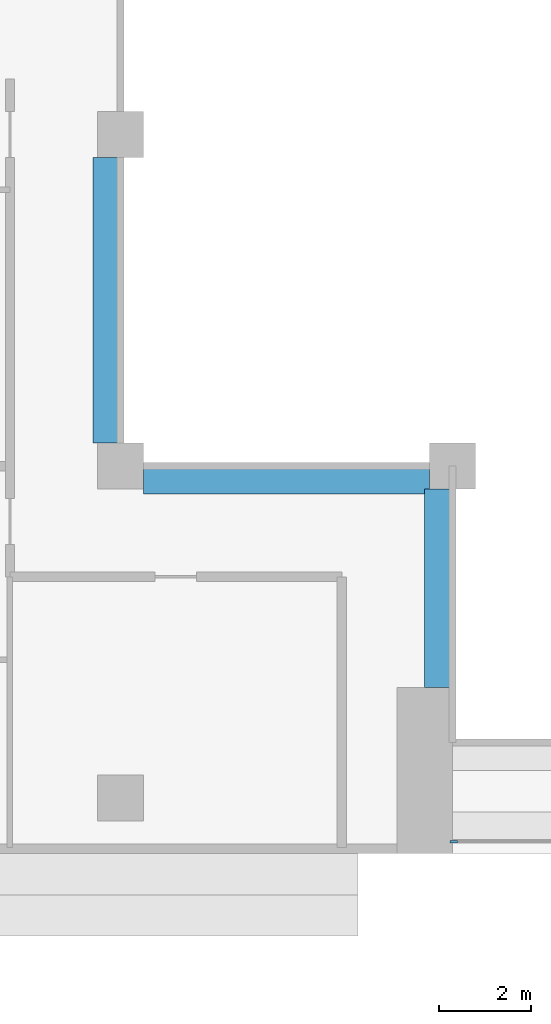
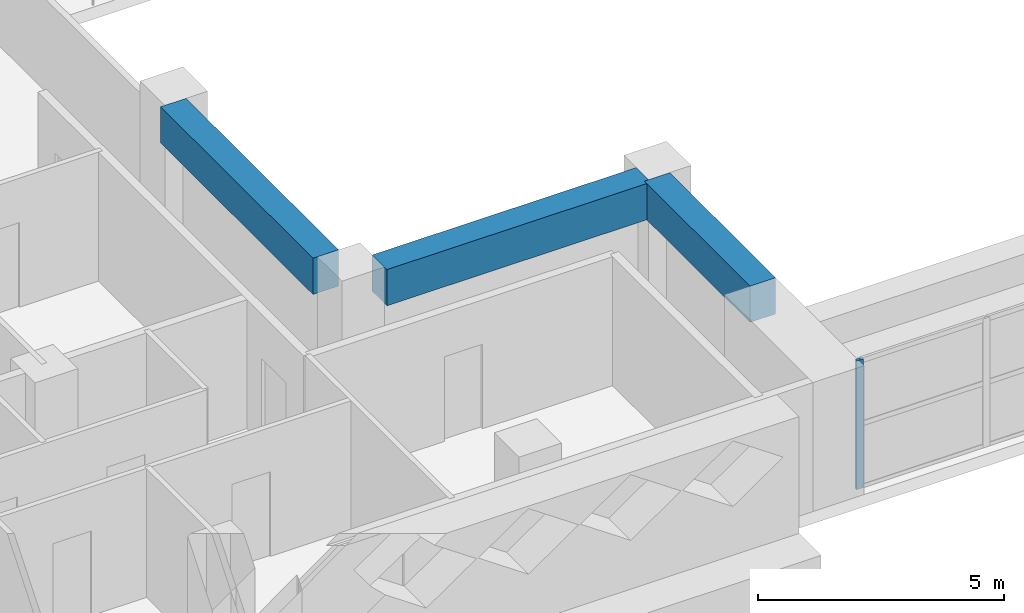
# One storey, part 2 of 20: 3 beams, 1 member, 1 element without a shape of its own.
"""IFC4 building model written with IfcOpenShell, lengths in metres."""

from ifc_helpers import new_model, si_unit, direction, frame, origin, origin_2d, place, context, subcontext, project, spatial, rectangle, extrude, source, transform, mapped, material, layer, layer_set, material_profile, profile_set, type_object, element, aggregate, save


model = new_model("IFC4")

# Units and contexts
model_context = context("Model", 3, precision=1e-05, world=origin(), true_north=direction((0.0, 1.0)))
body_context = subcontext(model_context, "Body", "Model", "MODEL_VIEW")
ifc_project = project(units=[si_unit("LENGTHUNIT", "METRE"), si_unit("AREAUNIT", "SQUARE_METRE"), si_unit("VOLUMEUNIT", "CUBIC_METRE"), si_unit("PLANEANGLEUNIT", "RADIAN"), si_unit("MASSUNIT", "GRAM", prefix="KILO")], contexts=[model_context])

# Site, building, storey
site_placement = place(None, origin())
site = spatial("IfcSite", under=ifc_project, at=site_placement, CompositionType="ELEMENT")
building_placement = place(site_placement, origin())
building = spatial("IfcBuilding", under=site, at=building_placement, Name="Saffron Iwan Residences", CompositionType="ELEMENT")
storey_placement = place(building_placement, frame((0.0, 0.0, 167.5)))
storey = spatial("IfcBuildingStorey", under=building, at=storey_placement, Name="L44", CompositionType="ELEMENT", Elevation=167.5)

# Beams
ifc_material_1 = material(Name="Concrete C50/60", Category="concrete")
ifc_material_profile_1 = material_profile(ifc_material_1, rectangle(XDim=0.60009765625, YDim=0.89990234375, at=origin_2d()), Name="RC 600x900")
ifc_profile_set_1 = profile_set([ifc_material_profile_1], Name="Concrete C50/60")
beam_type = type_object("IfcBeamType", Name="BEAM RC 600x900 C50/60 TOP 3200", PredefinedType="BEAM", material=ifc_profile_set_1)
shared_shape_1 = source(origin(), body_context, "Body", "SweptSolid", [
    extrude(rectangle(XDim=0.60009765625, YDim=0.89990234375, at=origin_2d()), origin(), (0.0, 0.0, 1.0), 4.300048828125),
])
beam_placement = place(storey_placement, frame((42.89990234375, 43.199951171875, 2.75), z_axis=(0.0, 1.0, 0.0), x_axis=(-1.0, 0.0, 0.0)))
element("IfcBeam", 1, at=beam_placement, inside=storey, type_object=beam_type, Name="Atrium edge beam", PredefinedType="BEAM", context=body_context, shape_type="MappedRepresentation", body=[
    mapped(shared_shape_1, transform((0.0, 0.0, 0.0))),
])
shared_shape_2 = source(origin(), body_context, "Body", "SweptSolid", [
    extrude(rectangle(XDim=0.60009765625, YDim=0.89990234375, at=origin_2d()), origin(), (0.0, 0.0, 1.0), 6.199951171875),
])
for number, where, z_axis, x_axis, name in (
    (2, (42.699951171875, 47.699951171875, 2.75), (-1.0, 0.0, 0.0), (0.0, -1.0, 0.0), "Atrium edge beam"),
    (3, (35.699951171875, 48.5, 2.75), (0.0, 1.0, 0.0), (-1.0, 0.0, 0.0), "Atrium edge beam"),
):
    element("IfcBeam", number, at=place(storey_placement, frame(where, z_axis=z_axis, x_axis=x_axis)), inside=storey, type_object=beam_type, Name=name, PredefinedType="BEAM", context=body_context, shape_type="MappedRepresentation", body=[
        mapped(shared_shape_2, transform((0.0, 0.0, 0.0))),
    ])

# Curtain wall, member
ifc_material_2 = material(Name="Clear glass, laminated double glazed", Category="glass")
ifc_layer = layer(ifc_material_2, 0.199951171875)
ifc_layer_set = layer_set([ifc_layer], Name="Clear glass, laminated double glazed")
curtain_wall_type = type_object("IfcCurtainWallType", Name="CW-B IWAN PORTAL", PredefinedType="NOTDEFINED", material=ifc_layer_set)
curtain_wall_placement = place(storey_placement, origin())
curtain_wall = element("IfcCurtainWall", 4, at=curtain_wall_placement, inside=storey, type_object=curtain_wall_type, Name="Iwan portal glazing L44.1", PredefinedType="NOTDEFINED")
ifc_material_3 = material(Name="Aluminium 6063-T6", Category="aluminium")
ifc_material_profile_2 = material_profile(ifc_material_3, rectangle(XDim=0.06005859375, YDim=0.159912109375, at=origin_2d()), Name="CW-B MULLION 60 x 160")
ifc_profile_set_2 = profile_set([ifc_material_profile_2], Name="Aluminium 6063-T6")
member_type = type_object("IfcMemberType", Name="CW-B MULLION 60 x 160", PredefinedType="MULLION", material=ifc_profile_set_2)
shared_shape_3 = source(origin(), body_context, "Body", "SweptSolid", [
    extrude(rectangle(XDim=0.06005859375, YDim=0.159912109375, at=origin_2d()), origin(), (0.0, 0.0, 1.0), 3.199951171875),
])
member_placement = place(storey_placement, frame((43.22998046875, 39.85009765625, 0.0), z_axis=(0.0, 0.0, 1.0), x_axis=(0.0, 1.0, 0.0)))
member = element("IfcMember", 5, at=member_placement, type_object=member_type, Name="CW-B mullion 1", PredefinedType="MULLION", context=body_context, shape_type="MappedRepresentation", body=[
    mapped(shared_shape_3, transform((0.0, 0.0, 0.0))),
])
aggregate(curtain_wall, [member])

save(model, "model.ifc")
